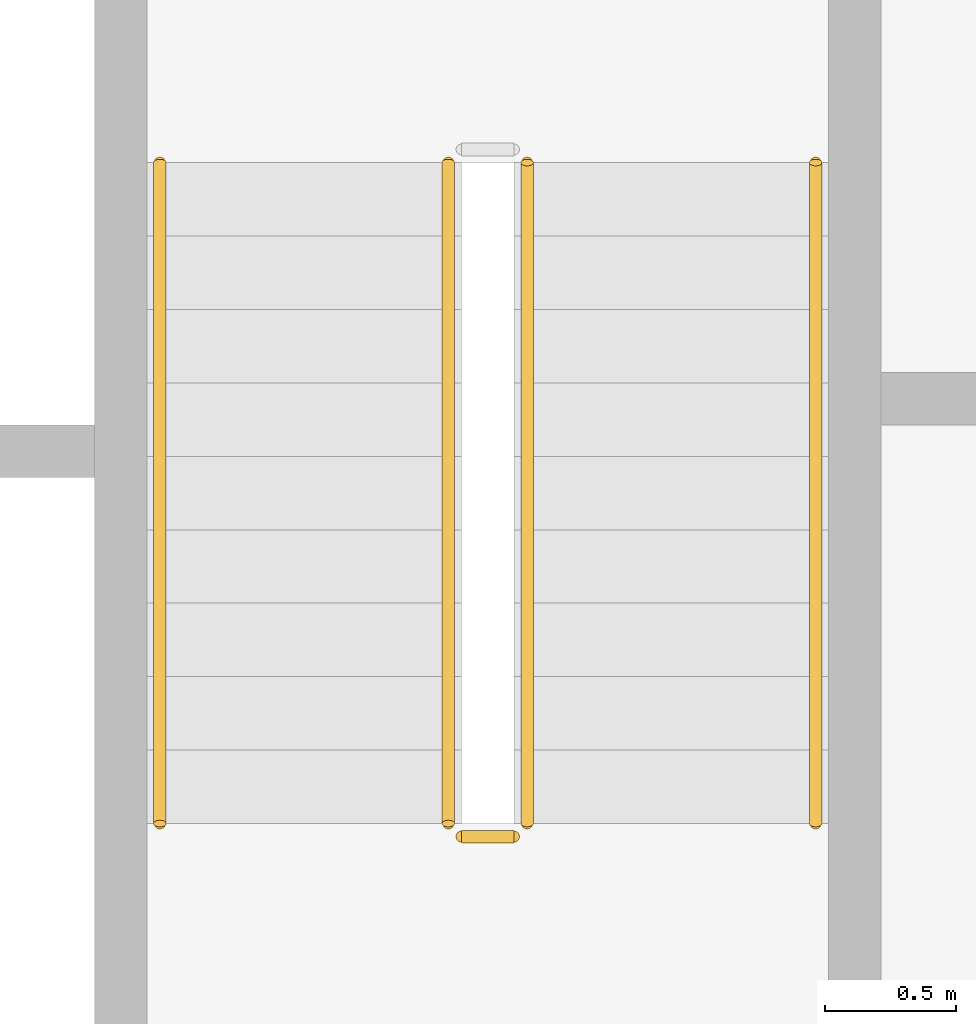
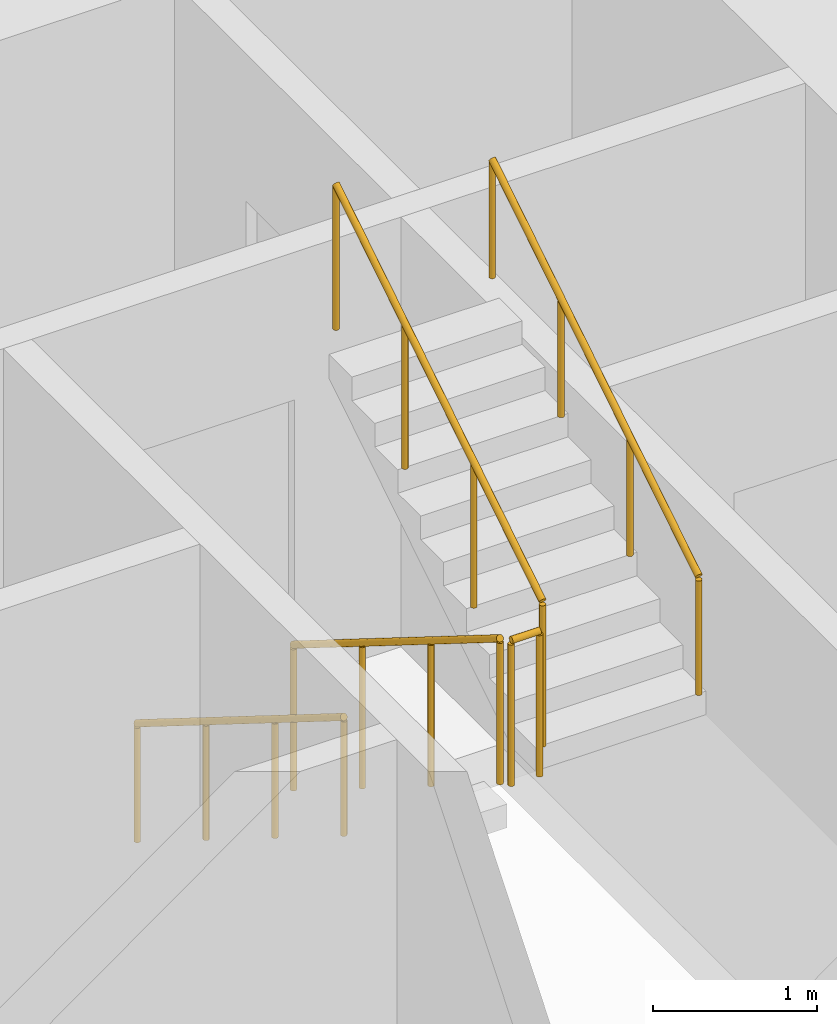
# One storey, part 19 of 22: 5 railings.
"""IFC4 building model written with IfcOpenShell, lengths in metres."""

from ifc_helpers import new_model, si_unit, direction, frame, origin, origin_2d, place, context, subcontext, project, spatial, circle, extrude, material, type_object, element, save


model = new_model("IFC4")

# Units and contexts
model_context = context("Model", 3, precision=1e-05, world=origin(), true_north=direction((0.0, 1.0)))
body_context = subcontext(model_context, "Body", "Model", "MODEL_VIEW")
ifc_project = project(units=[si_unit("LENGTHUNIT", "METRE"), si_unit("AREAUNIT", "SQUARE_METRE"), si_unit("VOLUMEUNIT", "CUBIC_METRE"), si_unit("PLANEANGLEUNIT", "RADIAN"), si_unit("MASSUNIT", "GRAM", prefix="KILO")], contexts=[model_context])

# Site, building, storey
site_placement = place(None, origin())
site = spatial("IfcSite", under=ifc_project, at=site_placement, CompositionType="ELEMENT")
building_placement = place(site_placement, origin())
building = spatial("IfcBuilding", under=site, at=building_placement, Name="Kiln Ring Residences", CompositionType="ELEMENT")
storey_placement = place(building_placement, frame((0.0, 0.0, 146.60009765625)))
storey = spatial("IfcBuildingStorey", under=building, at=storey_placement, Name="L37", CompositionType="ELEMENT", Elevation=146.60009765625)

# Railings
ifc_material_1 = material(Name="Stainless steel", Category="steel")
railing_type_1 = type_object("IfcRailingType", Name="CORE-STAIR-GUARD", PredefinedType="GUARDRAIL", material=ifc_material_1)
railing_1_placement = place(storey_placement, frame((21.949951171875, 8.39990234375, 0.1748046875)))
element("IfcRailing", 1, at=railing_1_placement, inside=storey, type_object=railing_type_1, Name="L37 E-STN stair guard 1", PredefinedType="GUARDRAIL", context=body_context, shape_type="SweptSolid", body=[
    extrude(circle(Radius=0.02392578125, at=origin_2d()), frame((0.0, 0.0, 1.076171875), z_axis=(0.0, -0.847970611238, 0.530043245855), x_axis=(1.0, 0.0, 0.0)), (0.0, 0.0, 1.0), 2.971923828125),
    extrude(circle(Radius=0.02099609375, at=origin_2d()), origin(), (0.0, 0.0, 1.0), 1.052001953125),
    extrude(circle(Radius=0.02099609375, at=origin_2d()), frame((0.0, -0.840087890625, 0.525146484375)), (0.0, 0.0, 1.0), 1.052001953125),
    extrude(circle(Radius=0.02099609375, at=origin_2d()), frame((0.0, -1.679931640625, 1.050048828125)), (0.0, 0.0, 1.0), 1.052001953125),
    extrude(circle(Radius=0.02099609375, at=origin_2d()), frame((0.0, -2.52001953125, 1.5751953125)), (0.0, 0.0, 1.0), 1.052001953125),
])
railing_2_placement = place(storey_placement, frame((22.0, 5.830078125, 1.75)))
element("IfcRailing", 2, at=railing_2_placement, inside=storey, type_object=railing_type_1, Name="L37 E-STN stair guard 2", PredefinedType="GUARDRAIL", context=body_context, shape_type="SweptSolid", body=[
    extrude(circle(Radius=0.02392578125, at=origin_2d()), frame((0.0, 0.0, 1.076171875), z_axis=(1.0, 0.0, 0.0), x_axis=(0.0, 1.0, 0.0)), (0.0, 0.0, 1.0), 0.199951171875),
    extrude(circle(Radius=0.02099609375, at=origin_2d()), origin(), (0.0, 0.0, 1.0), 1.052001953125),
    extrude(circle(Radius=0.02099609375, at=origin_2d()), frame((0.199951171875, 0.0, 0.0)), (0.0, 0.0, 1.0), 1.052001953125),
])
railing_3_placement = place(storey_placement, frame((22.25, 5.8798828125, 1.9248046875)))
element("IfcRailing", 3, at=railing_3_placement, inside=storey, type_object=railing_type_1, Name="L37 E-STN stair guard 3", PredefinedType="GUARDRAIL", context=body_context, shape_type="SweptSolid", body=[
    extrude(circle(Radius=0.02392578125, at=origin_2d()), frame((0.0, 0.0, 1.076171875), z_axis=(0.0, 0.847970611238, 0.530043245855), x_axis=(-1.0, 0.0, 0.0)), (0.0, 0.0, 1.0), 2.971923828125),
    extrude(circle(Radius=0.02099609375, at=origin_2d()), origin(), (0.0, 0.0, 1.0), 1.052001953125),
    extrude(circle(Radius=0.02099609375, at=origin_2d()), frame((0.0, 0.840087890625, 0.525146484375)), (0.0, 0.0, 1.0), 1.052001953125),
    extrude(circle(Radius=0.02099609375, at=origin_2d()), frame((0.0, 1.679931640625, 1.050048828125)), (0.0, 0.0, 1.0), 1.052001953125),
    extrude(circle(Radius=0.02099609375, at=origin_2d()), frame((0.0, 2.52001953125, 1.5751953125)), (0.0, 0.0, 1.0), 1.052001953125),
])
ifc_material_2 = material(Name="Stainless steel", Category="steel")
railing_type_2 = type_object("IfcRailingType", Name="CORE-STAIR-HANDRAIL", PredefinedType="HANDRAIL", material=ifc_material_2)
railing_4_placement = place(storey_placement, frame((20.85009765625, 8.39990234375, 0.1748046875)))
element("IfcRailing", 4, at=railing_4_placement, inside=storey, type_object=railing_type_2, Name="L37 E-STN stair handrail 1", PredefinedType="HANDRAIL", context=body_context, shape_type="SweptSolid", body=[
    extrude(circle(Radius=0.02392578125, at=origin_2d()), frame((0.0, 0.0, 0.8759765625), z_axis=(0.0, -0.847970611238, 0.530043245855), x_axis=(1.0, 0.0, 0.0)), (0.0, 0.0, 1.0), 2.971923828125),
    extrude(circle(Radius=0.02099609375, at=origin_2d()), origin(), (0.0, 0.0, 1.0), 0.851806640625),
    extrude(circle(Radius=0.02099609375, at=origin_2d()), frame((0.0, -0.840087890625, 0.525146484375)), (0.0, 0.0, 1.0), 0.851806640625),
    extrude(circle(Radius=0.02099609375, at=origin_2d()), frame((0.0, -1.679931640625, 1.050048828125)), (0.0, 0.0, 1.0), 0.851806640625),
    extrude(circle(Radius=0.02099609375, at=origin_2d()), frame((0.0, -2.52001953125, 1.5751953125)), (0.0, 0.0, 1.0), 0.851806640625),
])
railing_5_placement = place(storey_placement, frame((23.35009765625, 5.8798828125, 1.9248046875)))
element("IfcRailing", 5, at=railing_5_placement, inside=storey, type_object=railing_type_2, Name="L37 E-STN stair handrail 2", PredefinedType="HANDRAIL", context=body_context, shape_type="SweptSolid", body=[
    extrude(circle(Radius=0.02392578125, at=origin_2d()), frame((0.0, 0.0, 0.8759765625), z_axis=(0.0, 0.847970611238, 0.530043245855), x_axis=(-1.0, 0.0, 0.0)), (0.0, 0.0, 1.0), 2.971923828125),
    extrude(circle(Radius=0.02099609375, at=origin_2d()), origin(), (0.0, 0.0, 1.0), 0.851806640625),
    extrude(circle(Radius=0.02099609375, at=origin_2d()), frame((0.0, 0.840087890625, 0.525146484375)), (0.0, 0.0, 1.0), 0.851806640625),
    extrude(circle(Radius=0.02099609375, at=origin_2d()), frame((0.0, 1.679931640625, 1.050048828125)), (0.0, 0.0, 1.0), 0.851806640625),
    extrude(circle(Radius=0.02099609375, at=origin_2d()), frame((0.0, 2.52001953125, 1.5751953125)), (0.0, 0.0, 1.0), 0.851806640625),
])

save(model, "model.ifc")
